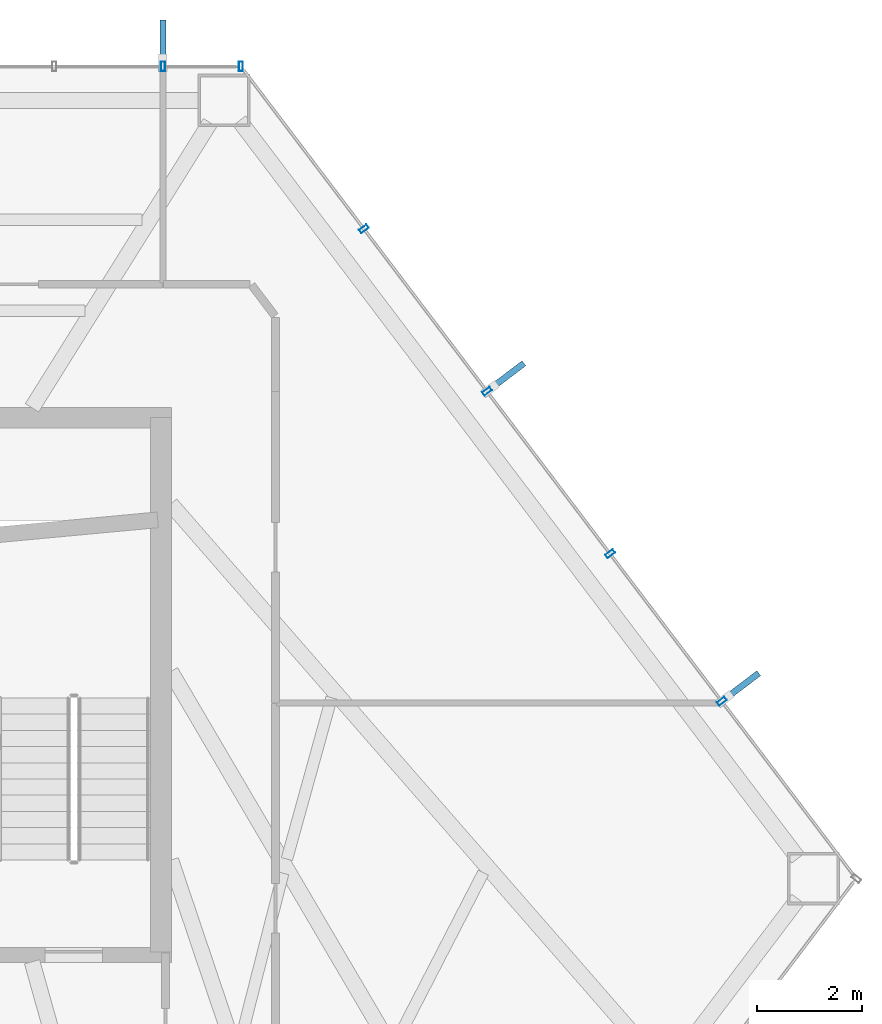
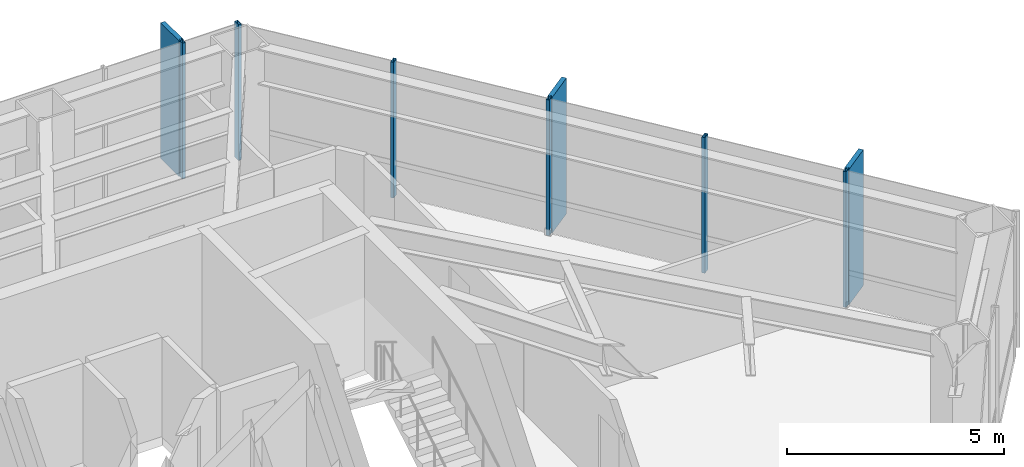
# One storey, part 21 of 26: 9 members, 2 elements without a shape of their own.
"""IFC4 building model written with IfcOpenShell, lengths in metres."""

from ifc_helpers import new_model, si_unit, direction, frame, origin, origin_2d, place, context, subcontext, project, spatial, rectangle, hollow_rectangle, extrude, material, layer, layer_set, material_profile, profile_set, type_object, element, aggregate, save


model = new_model("IFC4")

# Units and contexts
model_context = context("Model", 3, precision=1e-05, world=origin(), true_north=direction((0.0, 1.0)))
body_context = subcontext(model_context, "Body", "Model", "MODEL_VIEW")
ifc_project = project(units=[si_unit("LENGTHUNIT", "METRE"), si_unit("AREAUNIT", "SQUARE_METRE"), si_unit("VOLUMEUNIT", "CUBIC_METRE"), si_unit("PLANEANGLEUNIT", "RADIAN"), si_unit("MASSUNIT", "GRAM", prefix="KILO")], contexts=[model_context])

# Site, building, storey
site_placement = place(None, origin())
site = spatial("IfcSite", under=ifc_project, at=site_placement, CompositionType="ELEMENT")
building_placement = place(site_placement, origin())
building = spatial("IfcBuilding", under=site, at=building_placement, Name="Zarrinselat Tower", CompositionType="ELEMENT")
storey_placement = place(building_placement, frame((0.0, 0.0, 27.5400390625)))
storey = spatial("IfcBuildingStorey", under=building, at=storey_placement, Name="L06", CompositionType="ELEMENT", Elevation=27.5400390625)

# Curtain wall, members
ifc_material_1 = material(Name="Extruded Aluminium Alloy EN AW-6063 T6", Category="aluminium")
ifc_layer = layer(ifc_material_1, 0.18505859375)
ifc_layer_set = layer_set([ifc_layer], Name="Extruded Aluminium Alloy EN AW-6063 T6")
curtain_wall_type = type_object("IfcCurtainWallType", Name="CWS-OFF", PredefinedType="NOTDEFINED", material=ifc_layer_set)
curtain_wall_1_placement = place(storey_placement, origin())
curtain_wall_1 = element("IfcCurtainWall", 1, at=curtain_wall_1_placement, inside=storey, type_object=curtain_wall_type, Name="L06 Unitised Curtain Wall CW-L06-E01", PredefinedType="NOTDEFINED")
ifc_material_2 = material(Name="Extruded Aluminium Alloy EN AW-6063 T6", Category="aluminium")
ifc_material_profile_1 = material_profile(ifc_material_2, hollow_rectangle(XDim=0.080078125, YDim=0.179931640625, WallThickness=0.0048828125, at=origin_2d()), Name="RHS 180x80x5")
ifc_profile_set_1 = profile_set([ifc_material_profile_1], Name="Extruded Aluminium Alloy EN AW-6063 T6")
member_type_1 = type_object("IfcMemberType", Name="MEM-CW-MUL", PredefinedType="MULLION", material=ifc_profile_set_1)
member_1_placement = place(storey_placement, frame((49.789306640625, 50.1611328125, 0.0), z_axis=(0.0, 0.0, 1.0), x_axis=(-1.0, 0.0, 0.0)))
member_1 = element("IfcMember", 2, at=member_1_placement, type_object=member_type_1, Name="CW-L06-E01 Mullion 0", PredefinedType="MULLION", context=body_context, shape_type="SweptSolid", body=[
    extrude(hollow_rectangle(XDim=0.080078125, YDim=0.179931640625, WallThickness=0.0048828125, at=origin_2d()), origin(), (0.0, 0.0, 1.0), 3.820068359375),
])
member_2_placement = place(storey_placement, frame((48.300048828125, 50.1611328125, 0.0), z_axis=(0.0, 0.0, 1.0), x_axis=(-1.0, 0.0, 0.0)))
member_2 = element("IfcMember", 3, at=member_2_placement, type_object=member_type_1, Name="CW-L06-E01 Mullion 1", PredefinedType="MULLION", context=body_context, shape_type="SweptSolid", body=[
    extrude(hollow_rectangle(XDim=0.080078125, YDim=0.179931640625, WallThickness=0.0048828125, at=origin_2d()), origin(), (0.0, 0.0, 1.0), 3.820068359375),
])

curtain_wall_2_placement = place(storey_placement, origin())
curtain_wall_2 = element("IfcCurtainWall", 4, at=curtain_wall_2_placement, inside=storey, type_object=curtain_wall_type, Name="L06 Unitised Curtain Wall CW-L06-E06", PredefinedType="NOTDEFINED")
member_3_placement = place(storey_placement, frame((58.974853515625, 38.0361328125, 0.0), z_axis=(0.0, 0.0, 1.0), x_axis=(-0.603858578341, 0.797091473649, 0.0)))
member_3 = element("IfcMember", 5, at=member_3_placement, type_object=member_type_1, Name="CW-L06-E06 Mullion 1", PredefinedType="MULLION", context=body_context, shape_type="SweptSolid", body=[
    extrude(hollow_rectangle(XDim=0.080078125, YDim=0.179931640625, WallThickness=0.0048828125, at=origin_2d()), origin(), (0.0, 0.0, 1.0), 3.820068359375),
])
member_4_placement = place(storey_placement, frame((56.8408203125, 40.853271484375, 0.0), z_axis=(0.0, 0.0, 1.0), x_axis=(-0.603858578341, 0.797091473649, 0.0)))
member_4 = element("IfcMember", 6, at=member_4_placement, type_object=member_type_1, Name="CW-L06-E06 Mullion 2", PredefinedType="MULLION", context=body_context, shape_type="SweptSolid", body=[
    extrude(hollow_rectangle(XDim=0.080078125, YDim=0.179931640625, WallThickness=0.0048828125, at=origin_2d()), origin(), (0.0, 0.0, 1.0), 3.820068359375),
])
member_5_placement = place(storey_placement, frame((54.490234375, 43.955810546875, 0.0), z_axis=(0.0, 0.0, 1.0), x_axis=(-0.603858578341, 0.797091473649, 0.0)))
member_5 = element("IfcMember", 7, at=member_5_placement, type_object=member_type_1, Name="CW-L06-E06 Mullion 3", PredefinedType="MULLION", context=body_context, shape_type="SweptSolid", body=[
    extrude(hollow_rectangle(XDim=0.080078125, YDim=0.179931640625, WallThickness=0.0048828125, at=origin_2d()), origin(), (0.0, 0.0, 1.0), 3.820068359375),
])
member_6_placement = place(storey_placement, frame((52.139892578125, 47.05859375, 0.0), z_axis=(0.0, 0.0, 1.0), x_axis=(-0.603858578341, 0.797091473649, 0.0)))
member_6 = element("IfcMember", 8, at=member_6_placement, type_object=member_type_1, Name="CW-L06-E06 Mullion 4", PredefinedType="MULLION", context=body_context, shape_type="SweptSolid", body=[
    extrude(hollow_rectangle(XDim=0.080078125, YDim=0.179931640625, WallThickness=0.0048828125, at=origin_2d()), origin(), (0.0, 0.0, 1.0), 3.820068359375),
])

# Member
ifc_material_3 = material(Name="Honed Cream Travertine Stone", Category="masonry")
ifc_material_profile_2 = material_profile(ifc_material_3, rectangle(XDim=0.1201171875, YDim=0.85009765625, at=origin_2d()), Name="FIN 850x120")
ifc_profile_set_2 = profile_set([ifc_material_profile_2], Name="Honed Cream Travertine Stone")
member_type_2 = type_object("IfcMemberType", Name="MEM-STONE-FIN", PredefinedType="USERDEFINED", material=ifc_profile_set_2)
member_7_placement = place(storey_placement, frame((48.300048828125, 50.62109375, 0.0), z_axis=(0.0, 0.0, 1.0), x_axis=(1.0, 0.0, 0.0)))
member_7 = element("IfcMember", 9, at=member_7_placement, type_object=member_type_2, Name="L06 Stone Shading Fin CW-L06-E01-01", ObjectType="FIN", PredefinedType="USERDEFINED", context=body_context, shape_type="SweptSolid", body=[
    extrude(rectangle(XDim=0.1201171875, YDim=0.85009765625, at=origin_2d()), origin(), (0.0, 0.0, 1.0), 3.820068359375),
])

aggregate(curtain_wall_1, [member_1, member_2, member_7])

member_8_placement = place(storey_placement, frame((59.341552734375, 38.31396484375, 0.0), z_axis=(0.0, 0.0, 1.0), x_axis=(0.603858578341, -0.797091473649, 0.0)))
member_8 = element("IfcMember", 10, at=member_8_placement, type_object=member_type_2, Name="L06 Stone Shading Fin CW-L06-E06-01", ObjectType="FIN", PredefinedType="USERDEFINED", context=body_context, shape_type="SweptSolid", body=[
    extrude(rectangle(XDim=0.1201171875, YDim=0.85009765625, at=origin_2d()), origin(), (0.0, 0.0, 1.0), 3.820068359375),
])

member_9_placement = place(storey_placement, frame((54.85693359375, 44.233642578125, 0.0), z_axis=(0.0, 0.0, 1.0), x_axis=(0.603858578341, -0.797091473649, 0.0)))
member_9 = element("IfcMember", 11, at=member_9_placement, type_object=member_type_2, Name="L06 Stone Shading Fin CW-L06-E06-03", ObjectType="FIN", PredefinedType="USERDEFINED", context=body_context, shape_type="SweptSolid", body=[
    extrude(rectangle(XDim=0.1201171875, YDim=0.85009765625, at=origin_2d()), origin(), (0.0, 0.0, 1.0), 3.820068359375),
])

aggregate(curtain_wall_2, [member_3, member_8, member_4, member_5, member_9, member_6])

save(model, "model.ifc")
